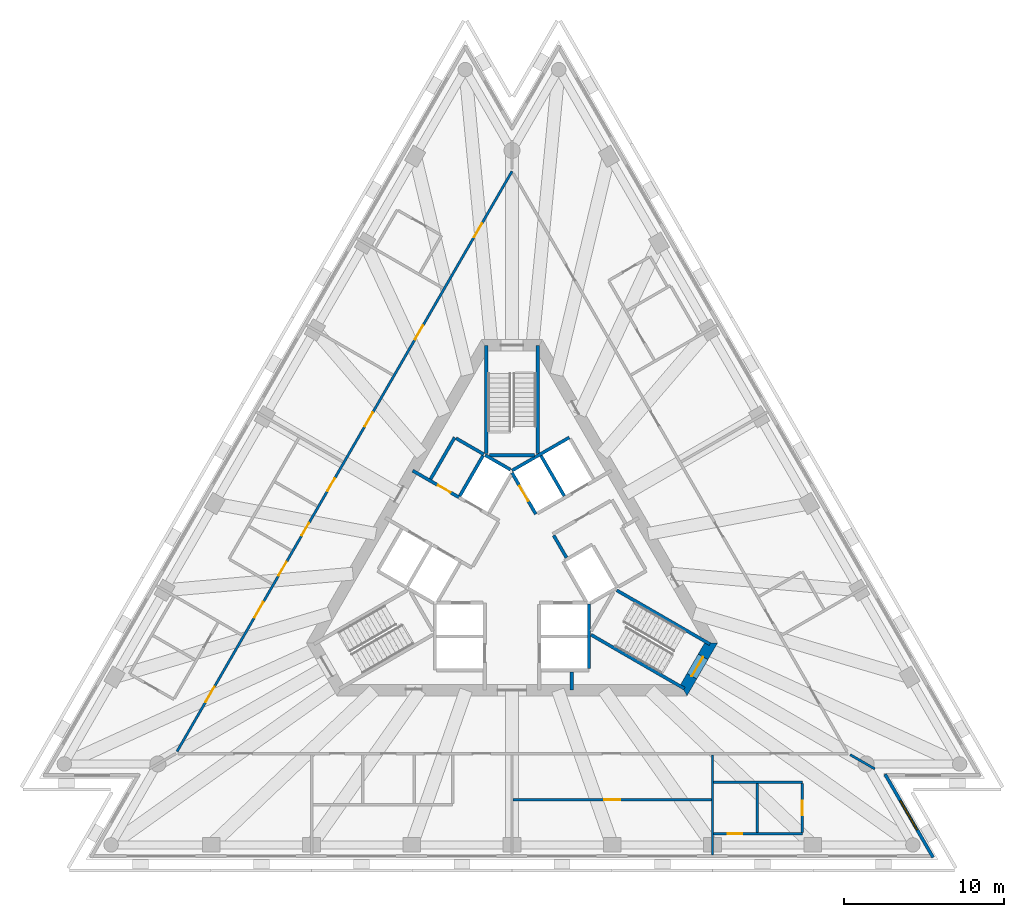
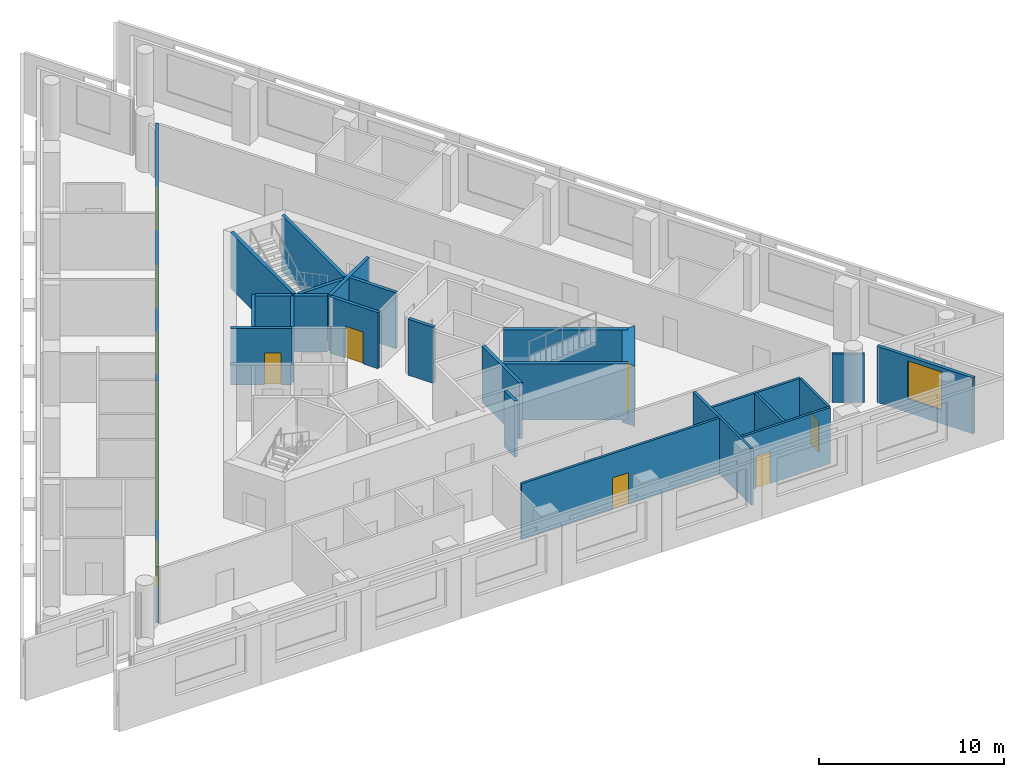
# One storey, part 5 of 10: 26 walls, 14 doors, 1 window, 15 openings.
"""IFC4 building model written with IfcOpenShell, lengths in metres."""

from ifc_helpers import new_model, si_unit, direction, frame, frame_2d, origin, place, context, subcontext, project, spatial, polyline, rectangle, outline, extrude, material, layer, layer_set, layer_usage, type_object, element, fill, save


model = new_model("IFC4")

# Units and contexts
model_context = context("Model", 3, precision=1e-05, world=origin(), true_north=direction((0.0, 1.0)))
body_context = subcontext(model_context, "Body", "Model", "MODEL_VIEW")
ifc_project = project(units=[si_unit("LENGTHUNIT", "METRE"), si_unit("AREAUNIT", "SQUARE_METRE"), si_unit("VOLUMEUNIT", "CUBIC_METRE"), si_unit("PLANEANGLEUNIT", "RADIAN"), si_unit("MASSUNIT", "GRAM", prefix="KILO")], contexts=[model_context])

# Site, building, storey
site_placement = place(None, origin())
site = spatial("IfcSite", under=ifc_project, at=site_placement, CompositionType="ELEMENT")
building_placement = place(site_placement, origin())
building = spatial("IfcBuilding", under=site, at=building_placement, Name="Triada Interchange Tower", CompositionType="ELEMENT")
storey_placement = place(building_placement, frame((0.0, 0.0, 199.300048828125)))
storey = spatial("IfcBuildingStorey", under=building, at=storey_placement, Name="L46", CompositionType="ELEMENT", Elevation=199.300048828125)

# Wall
ifc_material_1 = material(Name="Concrete C30/37", Category="concrete")
ifc_layer_1 = layer(ifc_material_1, 0.199951171875)
ifc_layer_set_1 = layer_set([ifc_layer_1], Name="CORE WALL 200 EI 120")
wall_type_1 = type_object("IfcWallType", Name="CORE WALL 200 EI 120", PredefinedType="SOLIDWALL", material=ifc_layer_set_1)
wall_1_placement = place(storey_placement, frame((-0.001953125, 5.541015625, 0.0), z_axis=(0.0, 0.0, 1.0), x_axis=(0.86600155993, 0.500041296494, 0.0)))
element("IfcWall", 1, at=wall_1_placement, inside=storey, type_object=wall_type_1, Name="Wall L44 54", PredefinedType="SOLIDWALL", context=body_context, shape_type="SweptSolid", body=[
    extrude(rectangle(XDim=4.131591796875, YDim=0.199951171875, at=frame_2d((2.06591796875, 0.0))), origin(), (0.0, 0.0, 1.0), 3.699951171875),
])

# Wall, opening, door
wall_2_placement = place(storey_placement, frame((0.0, 5.39990234375, 0.0), z_axis=(0.0, 0.0, 1.0), x_axis=(0.500103862429, -0.865965430478, 0.0)))
wall_2 = element("IfcWall", 2, at=wall_2_placement, inside=storey, type_object=wall_type_1, Name="Wall L44 55", PredefinedType="SOLIDWALL", context=body_context, shape_type="SweptSolid", body=[
    extrude(rectangle(XDim=2.973388671875, YDim=0.199951171875, at=frame_2d((1.48681640625, 0.0))), origin(), (0.0, 0.0, 1.0), 3.699951171875),
])
opening_1_placement = place(wall_2_placement, frame((0.93701171875, 0.0, 0.0)))
opening_1 = element("IfcOpeningElement", 3, at=opening_1_placement, cuts=wall_2, Name="Opening LD-HR5", PredefinedType="OPENING", context=body_context, shape_type="SweptSolid", body=[
    extrude(rectangle(XDim=1.10009765625, YDim=2.10009765625, at=frame_2d((0.550048828125, 1.050048828125))), frame((0.0, 0.10986328125, 0.0), z_axis=(0.0, -1.0, 0.0), x_axis=(1.0, 0.0, 0.0)), (0.0, 0.0, 1.0), 0.219970703125),
])
ifc_material_2 = material(Name="Steel S235 door leaf", Category="steel")
door_type_1 = type_object("IfcDoorType", Name="LIFT LANDING DOOR 1100 EI 120", OperationType="SLIDING_TO_LEFT", PredefinedType="DOOR", material=ifc_material_2)
door_1_placement = place(opening_1_placement, origin())
door_1 = element("IfcDoor", 4, at=door_1_placement, inside=storey, type_object=door_type_1, Name="HR5 landing door L46", OperationType="SLIDING_TO_LEFT", OverallHeight=2.10009765625, OverallWidth=1.10009765625, PredefinedType="DOOR", context=body_context, shape_type="SweptSolid", body=[
    extrude(rectangle(XDim=1.10009765625, YDim=2.10009765625, at=frame_2d((0.550048828125, 1.050048828125))), frame((0.0, 0.02490234375, 0.0), z_axis=(0.0, -1.0, 0.0), x_axis=(1.0, 0.0, 0.0)), (0.0, 0.0, 1.0), 0.050048828125),
])
fill(opening_1, door_1)

# Walls
wall_3_placement = place(storey_placement, frame((4.800048828125, -6.800048828125, 0.0), z_axis=(0.0, 0.0, 1.0), x_axis=(0.0, 1.0, 0.0)))
element("IfcWall", 5, at=wall_3_placement, inside=storey, type_object=wall_type_1, Name="Wall L44 59", PredefinedType="SOLIDWALL", context=body_context, shape_type="SweptSolid", body=[
    extrude(rectangle(XDim=4.029052734375, YDim=0.199951171875, at=frame_2d((2.0146484375, 0.0))), origin(), (0.0, 0.0, 1.0), 3.699951171875),
])
wall_4_placement = place(storey_placement, frame((1.806884765625, 6.469970703125, 0.0), z_axis=(0.0, 0.0, 1.0), x_axis=(0.50012328804, -0.865954211699, 0.0)))
element("IfcWall", 6, at=wall_4_placement, inside=storey, type_object=wall_type_1, Name="Wall L44 63", PredefinedType="SOLIDWALL", context=body_context, shape_type="SweptSolid", body=[
    extrude(rectangle(XDim=2.899658203125, YDim=0.199951171875, at=frame_2d((1.44970703125, 0.0))), origin(), (0.0, 0.0, 1.0), 3.699951171875),
])
wall_5_placement = place(storey_placement, frame((2.597900390625, 1.5, 0.0), z_axis=(0.0, 0.0, 1.0), x_axis=(0.499929347863, -0.866066190972, 0.0)))
element("IfcWall", 7, at=wall_5_placement, inside=storey, type_object=wall_type_1, Name="Wall L44 68", PredefinedType="SOLIDWALL", context=body_context, shape_type="SweptSolid", body=[
    extrude(rectangle(XDim=1.600341796875, YDim=0.199951171875, at=frame_2d((0.80029296875, 0.0))), origin(), (0.0, 0.0, 1.0), 3.699951171875),
])

# Wall, opening, door
ifc_layer_2 = layer(ifc_material_1, 0.199951171875)
ifc_layer_set_2 = layer_set([ifc_layer_2], Name="CORE WALL 200 EI 180")
wall_type_2 = type_object("IfcWallType", Name="CORE WALL 200 EI 180", PredefinedType="SOLIDWALL", material=ifc_layer_set_2)
wall_6_placement = place(storey_placement, frame((-6.19091796875, 5.537109375, 0.0), z_axis=(0.0, 0.0, 1.0), x_axis=(0.866052607023, -0.499952879648, 0.0)))
wall_6 = element("IfcWall", 8, at=wall_6_placement, inside=storey, type_object=wall_type_2, Name="Wall L44 71", PredefinedType="SOLIDWALL", context=body_context, shape_type="SweptSolid", body=[
    extrude(rectangle(XDim=3.332275390625, YDim=0.199951171875, at=frame_2d((1.666015625, 0.0))), origin(), (0.0, 0.0, 1.0), 3.699951171875),
])
opening_2_placement = place(wall_6_placement, frame((1.830078125, 0.0, 0.0)))
opening_2 = element("IfcOpeningElement", 9, at=opening_2_placement, cuts=wall_6, Name="Opening D44-10", PredefinedType="OPENING", context=body_context, shape_type="SweptSolid", body=[
    extrude(rectangle(XDim=0.89990234375, YDim=2.10009765625, at=frame_2d((0.449951171875, 1.050048828125))), frame((0.0, 0.10986328125, 0.0), z_axis=(0.0, -1.0, 0.0), x_axis=(1.0, 0.0, 0.0)), (0.0, 0.0, 1.0), 0.219970703125),
])
door_type_2 = type_object("IfcDoorType", Name="SERVICE DOOR 900 EI2 90-C5S200", OperationType="NOTDEFINED", PredefinedType="DOOR", material=ifc_material_2)
door_2_placement = place(opening_2_placement, origin())
door_2 = element("IfcDoor", 10, at=door_2_placement, inside=storey, type_object=door_type_2, Name="Door D44-10 L46", OperationType="SINGLE_SWING_LEFT", OverallHeight=2.10009765625, OverallWidth=0.89990234375, PredefinedType="DOOR", context=body_context, shape_type="SweptSolid", body=[
    extrude(rectangle(XDim=0.89990234375, YDim=2.10009765625, at=frame_2d((0.449951171875, 1.050048828125))), frame((0.0, 0.02490234375, 0.0), z_axis=(0.0, -1.0, 0.0), x_axis=(1.0, 0.0, 0.0)), (0.0, 0.0, 1.0), 0.050048828125),
])
fill(opening_2, door_2)

# Walls
wall_7_placement = place(storey_placement, frame((-5.075927734375, 5.009033203125, 0.0), z_axis=(0.0, 0.0, 1.0), x_axis=(0.50002537861, 0.866010750942, 0.0)))
element("IfcWall", 11, at=wall_7_placement, inside=storey, type_object=wall_type_2, Name="Wall L44 73", PredefinedType="SOLIDWALL", context=body_context, shape_type="SweptSolid", body=[
    extrude(rectangle(XDim=2.999755859375, YDim=0.199951171875, at=frame_2d((1.5, 0.0))), origin(), (0.0, 0.0, 1.0), 3.699951171875),
])
wall_8_placement = place(storey_placement, frame((-3.489013671875, 7.556884765625, 0.0), z_axis=(0.0, 0.0, 1.0), x_axis=(0.866010750942, -0.50002537861, 0.0)))
element("IfcWall", 12, at=wall_8_placement, inside=storey, type_object=wall_type_2, Name="Wall L44 74", PredefinedType="SOLIDWALL", context=body_context, shape_type="SweptSolid", body=[
    extrude(rectangle(XDim=2.0, YDim=0.199951171875, at=frame_2d((1.0, 0.0))), origin(), (0.0, 0.0, 1.0), 3.699951171875),
])
wall_9_placement = place(storey_placement, frame((-3.257080078125, 3.958984375, 0.0), z_axis=(0.0, 0.0, 1.0), x_axis=(0.50012328804, 0.865954211699, 0.0)))
element("IfcWall", 13, at=wall_9_placement, inside=storey, type_object=wall_type_2, Name="Shaft wall FF2 L44 81", PredefinedType="SOLIDWALL", context=body_context, shape_type="SweptSolid", body=[
    extrude(rectangle(XDim=2.899658203125, YDim=0.199951171875, at=frame_2d((1.44970703125, 0.0))), origin(), (0.0, 0.0, 1.0), 3.699951171875),
])
wall_10_placement = place(storey_placement, frame((-1.669921875, 6.507080078125, 0.0), z_axis=(0.0, 0.0, 1.0), x_axis=(0.865941441609, -0.500145398563, 0.0)))
element("IfcWall", 14, at=wall_10_placement, inside=storey, type_object=wall_type_2, Name="Shaft wall FF2 L44 82", PredefinedType="SOLIDWALL", context=body_context, shape_type="SweptSolid", body=[
    extrude(rectangle(XDim=1.8154296875, YDim=0.199951171875, at=frame_2d((0.90771484375, 0.0))), origin(), (0.0, 0.0, 1.0), 3.699951171875),
])
ifc_layer_3 = layer(ifc_material_1, 0.199951171875)
ifc_layer_set_3 = layer_set([ifc_layer_3], Name="CORE WALL 200 EI 90")
wall_type_3 = type_object("IfcWallType", Name="CORE WALL 200 EI 90", PredefinedType="SOLIDWALL", material=ifc_layer_set_3)
wall_11_placement = place(storey_placement, frame((3.72412109375, -8.1298828125, 0.0), z_axis=(0.0, 0.0, 1.0), x_axis=(0.0, 1.0, 0.0)))
element("IfcWall", 15, at=wall_11_placement, inside=storey, type_object=wall_type_3, Name="Wall L44 84", PredefinedType="SOLIDWALL", context=body_context, shape_type="SweptSolid", body=[
    extrude(rectangle(XDim=1.1298828125, YDim=0.199951171875, at=frame_2d((0.56494140625, 0.0))), origin(), (0.0, 0.0, 1.0), 3.699951171875),
])
ifc_layer_4 = layer(ifc_material_1, 0.199951171875)
ifc_layer_set_4 = layer_set([ifc_layer_4], Name="CORE WALL 200 REI 240")
wall_type_4 = type_object("IfcWallType", Name="CORE WALL 200 REI 240", PredefinedType="SOLIDWALL", material=ifc_layer_set_4)
wall_12_placement = place(storey_placement, frame((1.60009765625, 6.614990234375, 0.0), z_axis=(0.0, 0.0, 1.0), x_axis=(0.0, 1.0, 0.0)))
element("IfcWall", 16, at=wall_12_placement, inside=storey, type_object=wall_type_4, Name="Wall L44 91", PredefinedType="SOLIDWALL", context=body_context, shape_type="SweptSolid", body=[
    extrude(rectangle(XDim=6.715087890625, YDim=0.199951171875, at=frame_2d((3.357421875, 0.0))), origin(), (0.0, 0.0, 1.0), 3.699951171875),
])
wall_13_placement = place(storey_placement, frame((-1.39990234375, 6.5, 0.0), z_axis=(0.0, 0.0, 1.0), x_axis=(1.0, 0.0, 0.0)))
element("IfcWall", 17, at=wall_13_placement, inside=storey, type_object=wall_type_4, Name="Wall L44 92", PredefinedType="SOLIDWALL", context=body_context, shape_type="SweptSolid", body=[
    extrude(rectangle(XDim=2.7998046875, YDim=0.199951171875, at=frame_2d((1.39990234375, 0.0))), origin(), (0.0, 0.0, 1.0), 3.699951171875),
])
wall_14_placement = place(storey_placement, frame((-1.60009765625, 6.614990234375, 0.0), z_axis=(0.0, 0.0, 1.0), x_axis=(0.0, 1.0, 0.0)))
element("IfcWall", 18, at=wall_14_placement, inside=storey, type_object=wall_type_4, Name="Wall L44 93", PredefinedType="SOLIDWALL", context=body_context, shape_type="SweptSolid", body=[
    extrude(rectangle(XDim=6.715087890625, YDim=0.199951171875, at=frame_2d((3.357421875, 0.0))), origin(), (0.0, 0.0, 1.0), 3.699951171875),
])
wall_15_placement = place(storey_placement, frame((4.928955078125, -4.693115234375, 0.0), z_axis=(0.0, 0.0, 1.0), x_axis=(0.865983344943, -0.500072840975, 0.0)))
element("IfcWall", 19, at=wall_15_placement, inside=storey, type_object=wall_type_4, Name="Wall L44 94", PredefinedType="SOLIDWALL", context=body_context, shape_type="SweptSolid", body=[
    extrude(rectangle(XDim=6.71484375, YDim=0.199951171875, at=frame_2d((3.357421875, 0.0))), origin(), (0.0, 0.0, 1.0), 3.699951171875),
])
wall_16_placement = place(storey_placement, frame((6.529052734375, -1.922119140625, 0.0), z_axis=(0.0, 0.0, 1.0), x_axis=(0.866046323291, -0.499963764601, 0.0)))
element("IfcWall", 20, at=wall_16_placement, inside=storey, type_object=wall_type_4, Name="Wall L44 96", PredefinedType="SOLIDWALL", context=body_context, shape_type="SweptSolid", body=[
    extrude(rectangle(XDim=6.71435546875, YDim=0.199951171875, at=frame_2d((3.357177734375, 0.0))), origin(), (0.0, 0.0, 1.0), 3.699951171875),
])

# Wall, opening, door
ifc_material_3 = material(Name="Concrete C50/60", Category="concrete")
ifc_layer_5 = layer(ifc_material_3, 0.699951171875)
ifc_layer_set_5 = layer_set([ifc_layer_5], Name="Core wall C 700")
wall_type_5 = type_object("IfcWallType", Name="Core wall C 700", PredefinedType="SHEAR", material=ifc_layer_set_5)
wall_17_placement = place(storey_placement, frame((10.7099609375, -8.14990234375, -0.300048828125), z_axis=(0.0, 0.0, 1.0), x_axis=(0.49999337185, 0.866029230515, 0.0)))
wall_17 = element("IfcWall", 21, at=wall_17_placement, inside=storey, type_object=wall_type_5, Name="Core wall WC05 L46", PredefinedType="SHEAR", context=body_context, shape_type="SweptSolid", body=[
    extrude(outline(polyline([(-0.201904296875, -0.35009765625), (1.703125, -0.35009765625), (3.60791015625, -0.35009765625), (3.2041015625, 0.35009765625), (1.703125, 0.35009765625), (0.201904296875, 0.35009765625), (-0.201904296875, -0.35009765625)])), origin(), (0.0, 0.0, 1.0), 4.0),
])
opening_3_placement = place(wall_17_placement, frame((1.0029296875, 0.0, 0.300048828125)))
opening_3 = element("IfcOpeningElement", 22, at=opening_3_placement, cuts=wall_17, Name="Opening D44-42", PredefinedType="OPENING", context=body_context, shape_type="SweptSolid", body=[
    extrude(rectangle(XDim=1.39990234375, YDim=2.10009765625, at=frame_2d((0.699951171875, 1.050048828125))), frame((0.0, 0.360107421875, 0.0), z_axis=(0.0, -1.0, 0.0), x_axis=(1.0, 0.0, 0.0)), (0.0, 0.0, 1.0), 0.72021484375),
])
door_type_3 = type_object("IfcDoorType", Name="STAIR DOOR 1400 EI2 90-C5S200", OperationType="DOUBLE_DOOR_SINGLE_SWING", PredefinedType="DOOR", material=ifc_material_2)
door_3_placement = place(opening_3_placement, origin())
door_3 = element("IfcDoor", 23, at=door_3_placement, inside=storey, type_object=door_type_3, Name="Door D44-42 L46", OperationType="DOUBLE_DOOR_SINGLE_SWING", OverallHeight=2.10009765625, OverallWidth=1.39990234375, PredefinedType="DOOR", context=body_context, shape_type="SweptSolid", body=[
    extrude(rectangle(XDim=1.39990234375, YDim=2.10009765625, at=frame_2d((0.699951171875, 1.050048828125))), frame((0.0, 0.02490234375, 0.0), z_axis=(0.0, -1.0, 0.0), x_axis=(1.0, 0.0, 0.0)), (0.0, 0.0, 1.0), 0.050048828125),
])
fill(opening_3, door_3)

# Wall, opening, window
ifc_material_4 = material(Name="Cement board")
ifc_layer_6 = layer(ifc_material_4, 0.02001953125, Name="Cement board cladding")
ifc_material_5 = material(Name="Sheathing board")
ifc_layer_7 = layer(ifc_material_5, 0.014892578125, Name="Sheathing board")
ifc_material_6 = material(Name="Mineral wool")
ifc_layer_8 = layer(ifc_material_6, 0.14990234375, Name="Mineral wool between steel studs")
ifc_material_7 = material(Name="Gypsum board")
ifc_layer_9 = layer(ifc_material_7, 0.014892578125, Name="Plasterboard lining")
ifc_layer_set_6 = layer_set([ifc_layer_6, ifc_layer_7, ifc_layer_8, ifc_layer_9], Name="External wall 200")
ifc_layer_usage = layer_usage(ifc_layer_set_6, "AXIS2", "POSITIVE", -0.10009765625)
wall_type_6 = type_object("IfcWallType", Name="External wall 200", PredefinedType="ELEMENTEDWALL", material=ifc_layer_set_6)
wall_18_placement = place(storey_placement, frame((26.2509765625, -18.572998046875, 0.0), z_axis=(0.0, 0.0, 1.0), x_axis=(-0.499896541353, 0.866085127423, 0.0)))
wall_18 = element("IfcWall", 24, at=wall_18_placement, inside=storey, type_object=wall_type_6, material=ifc_layer_usage, Name="External wall L46 SE-1", PredefinedType="ELEMENTEDWALL", context=body_context, shape_type="SweptSolid", body=[
    extrude(rectangle(XDim=5.989013671875, YDim=0.199951171875, at=frame_2d((2.99462890625, 0.0))), origin(), (0.0, 0.0, 1.0), 3.699951171875),
])
opening_4_placement = place(wall_18_placement, frame((1.989990234375, 0.0, 0.89990234375)))
opening_4 = element("IfcOpeningElement", 25, at=opening_4_placement, cuts=wall_18, Name="Opening WC19", PredefinedType="OPENING", context=body_context, shape_type="SweptSolid", body=[
    extrude(rectangle(XDim=2.10009765625, YDim=2.5, at=frame_2d((1.050048828125, 1.25))), frame((0.0, 0.10986328125, 0.0), z_axis=(0.0, -1.0, 0.0), x_axis=(1.0, 0.0, 0.0)), (0.0, 0.0, 1.0), 0.219970703125),
])
ifc_material_8 = material(Name="Double glazed aluminium window", Category="aluminium")
window_type = type_object("IfcWindowType", Name="Ribbon window C pocket", PartitioningType="SINGLE_PANEL", PredefinedType="WINDOW", material=ifc_material_8)
window_placement = place(opening_4_placement, origin())
window = element("IfcWindow", 26, at=window_placement, inside=storey, type_object=window_type, Name="Window L46 SE-1 1", OverallHeight=2.5, OverallWidth=2.10009765625, PartitioningType="SINGLE_PANEL", PredefinedType="WINDOW", context=body_context, shape_type="SweptSolid", body=[
    extrude(rectangle(XDim=2.10009765625, YDim=2.5, at=frame_2d((1.050048828125, 1.25))), frame((0.0, 0.030029296875, 0.0), z_axis=(0.0, -1.0, 0.0), x_axis=(1.0, 0.0, 0.0)), (0.0, 0.0, 1.0), 0.06005859375),
])
fill(opening_4, window)

# Wall, openings, doors
ifc_material_9 = material(Name="Gypsum board partition")
ifc_layer_10 = layer(ifc_material_9, 0.14990234375)
ifc_layer_set_7 = layer_set([ifc_layer_10], Name="PARTITION 150 EI 180")
wall_type_7 = type_object("IfcWallType", Name="PARTITION 150 EI 180", PredefinedType="PARTITIONING", material=ifc_layer_set_7)
wall_19_placement = place(storey_placement, frame((-20.882080078125, -11.968994140625, 0.0), z_axis=(0.0, 0.0, 1.0), x_axis=(0.499998738735, 0.866026131975, 0.0)))
wall_19 = element("IfcWall", 27, at=wall_19_placement, inside=storey, type_object=wall_type_7, Name="Wall L44 4", PredefinedType="PARTITIONING", context=body_context, shape_type="SweptSolid", body=[
    extrude(rectangle(XDim=41.76416015625, YDim=0.14990234375, at=frame_2d((20.882080078125, 0.0))), origin(), (0.0, 0.0, 1.0), 3.699951171875),
])
opening_5_placement = place(wall_19_placement, frame((37.013916015625, 0.0, 0.0)))
opening_5 = element("IfcOpeningElement", 28, at=opening_5_placement, cuts=wall_19, Name="Opening D44-28", PredefinedType="OPENING", context=body_context, shape_type="SweptSolid", body=[
    extrude(rectangle(XDim=1.0, YDim=2.10009765625, at=frame_2d((0.5, 1.050048828125))), frame((0.0, 0.0849609375, 0.0), z_axis=(0.0, -1.0, 0.0), x_axis=(1.0, 0.0, 0.0)), (0.0, 0.0, 1.0), 0.169921875),
])
opening_6_placement = place(wall_19_placement, frame((29.653076171875, 0.0, 0.0)))
opening_6 = element("IfcOpeningElement", 29, at=opening_6_placement, cuts=wall_19, Name="Opening D44-30", PredefinedType="OPENING", context=body_context, shape_type="SweptSolid", body=[
    extrude(rectangle(XDim=1.0, YDim=2.10009765625, at=frame_2d((0.5, 1.050048828125))), frame((0.0, 0.0849609375, 0.0), z_axis=(0.0, -1.0, 0.0), x_axis=(1.0, 0.0, 0.0)), (0.0, 0.0, 1.0), 0.169921875),
])
opening_7_placement = place(wall_19_placement, frame((23.405029296875, 0.0, 0.0)))
opening_7 = element("IfcOpeningElement", 30, at=opening_7_placement, cuts=wall_19, Name="Opening D44-31", PredefinedType="OPENING", context=body_context, shape_type="SweptSolid", body=[
    extrude(rectangle(XDim=1.0, YDim=2.10009765625, at=frame_2d((0.5, 1.050048828125))), frame((0.0, 0.0849609375, 0.0), z_axis=(0.0, -1.0, 0.0), x_axis=(1.0, 0.0, 0.0)), (0.0, 0.0, 1.0), 0.169921875),
])
opening_8_placement = place(wall_19_placement, frame((9.656982421875, 0.0, 0.0)))
opening_8 = element("IfcOpeningElement", 31, at=opening_8_placement, cuts=wall_19, Name="Opening D44-32", PredefinedType="OPENING", context=body_context, shape_type="SweptSolid", body=[
    extrude(rectangle(XDim=1.10009765625, YDim=2.10009765625, at=frame_2d((0.550048828125, 1.050048828125))), frame((0.0, 0.0849609375, 0.0), z_axis=(0.0, -1.0, 0.0), x_axis=(1.0, 0.0, 0.0)), (0.0, 0.0, 1.0), 0.169921875),
])
opening_9_placement = place(wall_19_placement, frame((18.757080078125, 0.0, 0.0)))
opening_9 = element("IfcOpeningElement", 32, at=opening_9_placement, cuts=wall_19, Name="Opening D44-33", PredefinedType="OPENING", context=body_context, shape_type="SweptSolid", body=[
    extrude(rectangle(XDim=0.89990234375, YDim=2.10009765625, at=frame_2d((0.449951171875, 1.050048828125))), frame((0.0, 0.0849609375, 0.0), z_axis=(0.0, -1.0, 0.0), x_axis=(1.0, 0.0, 0.0)), (0.0, 0.0, 1.0), 0.169921875),
])
opening_10_placement = place(wall_19_placement, frame((15.556884765625, 0.0, 0.0)))
opening_10 = element("IfcOpeningElement", 33, at=opening_10_placement, cuts=wall_19, Name="Opening D44-34", PredefinedType="OPENING", context=body_context, shape_type="SweptSolid", body=[
    extrude(rectangle(XDim=0.89990234375, YDim=2.10009765625, at=frame_2d((0.449951171875, 1.050048828125))), frame((0.0, 0.0849609375, 0.0), z_axis=(0.0, -1.0, 0.0), x_axis=(1.0, 0.0, 0.0)), (0.0, 0.0, 1.0), 0.169921875),
])
opening_11_placement = place(wall_19_placement, frame((12.656982421875, 0.0, 0.0)))
opening_11 = element("IfcOpeningElement", 34, at=opening_11_placement, cuts=wall_19, Name="Opening D44-35", PredefinedType="OPENING", context=body_context, shape_type="SweptSolid", body=[
    extrude(rectangle(XDim=1.0, YDim=2.10009765625, at=frame_2d((0.5, 1.050048828125))), frame((0.0, 0.0849609375, 0.0), z_axis=(0.0, -1.0, 0.0), x_axis=(1.0, 0.0, 0.0)), (0.0, 0.0, 1.0), 0.169921875),
])
opening_12_placement = place(wall_19_placement, frame((3.56005859375, 0.0, 0.0)))
opening_12 = element("IfcOpeningElement", 35, at=opening_12_placement, cuts=wall_19, Name="Opening D44-36", PredefinedType="OPENING", context=body_context, shape_type="SweptSolid", body=[
    extrude(rectangle(XDim=1.10009765625, YDim=2.10009765625, at=frame_2d((0.550048828125, 1.050048828125))), frame((0.0, 0.0849609375, 0.0), z_axis=(0.0, -1.0, 0.0), x_axis=(1.0, 0.0, 0.0)), (0.0, 0.0, 1.0), 0.169921875),
])
door_type_4 = type_object("IfcDoorType", Name="ROOM DOOR 1000 EI2 90-C5S200", OperationType="NOTDEFINED", PredefinedType="DOOR", material=ifc_material_2)
door_4_placement = place(opening_5_placement, origin())
door_4 = element("IfcDoor", 36, at=door_4_placement, inside=storey, type_object=door_type_4, Name="Door D44-28 L46", OperationType="SINGLE_SWING_RIGHT", OverallHeight=2.10009765625, OverallWidth=1.0, PredefinedType="DOOR", context=body_context, shape_type="SweptSolid", body=[
    extrude(rectangle(XDim=1.0, YDim=2.10009765625, at=frame_2d((0.5, 1.050048828125))), frame((0.0, 0.02490234375, 0.0), z_axis=(0.0, -1.0, 0.0), x_axis=(1.0, 0.0, 0.0)), (0.0, 0.0, 1.0), 0.050048828125),
])
fill(opening_5, door_4)
door_5_placement = place(opening_6_placement, origin())
door_5 = element("IfcDoor", 37, at=door_5_placement, inside=storey, type_object=door_type_4, Name="Door D44-30 L46", OperationType="SINGLE_SWING_RIGHT", OverallHeight=2.10009765625, OverallWidth=1.0, PredefinedType="DOOR", context=body_context, shape_type="SweptSolid", body=[
    extrude(rectangle(XDim=1.0, YDim=2.10009765625, at=frame_2d((0.5, 1.050048828125))), frame((0.0, 0.02490234375, 0.0), z_axis=(0.0, -1.0, 0.0), x_axis=(1.0, 0.0, 0.0)), (0.0, 0.0, 1.0), 0.050048828125),
])
fill(opening_6, door_5)
door_6_placement = place(opening_7_placement, origin())
door_6 = element("IfcDoor", 38, at=door_6_placement, inside=storey, type_object=door_type_4, Name="Door D44-31 L46", OperationType="SINGLE_SWING_RIGHT", OverallHeight=2.10009765625, OverallWidth=1.0, PredefinedType="DOOR", context=body_context, shape_type="SweptSolid", body=[
    extrude(rectangle(XDim=1.0, YDim=2.10009765625, at=frame_2d((0.5, 1.050048828125))), frame((0.0, 0.02490234375, 0.0), z_axis=(0.0, -1.0, 0.0), x_axis=(1.0, 0.0, 0.0)), (0.0, 0.0, 1.0), 0.050048828125),
])
fill(opening_7, door_6)
door_7_placement = place(opening_11_placement, origin())
door_7 = element("IfcDoor", 39, at=door_7_placement, inside=storey, type_object=door_type_4, Name="Door D44-35 L46", OperationType="SINGLE_SWING_RIGHT", OverallHeight=2.10009765625, OverallWidth=1.0, PredefinedType="DOOR", context=body_context, shape_type="SweptSolid", body=[
    extrude(rectangle(XDim=1.0, YDim=2.10009765625, at=frame_2d((0.5, 1.050048828125))), frame((0.0, 0.02490234375, 0.0), z_axis=(0.0, -1.0, 0.0), x_axis=(1.0, 0.0, 0.0)), (0.0, 0.0, 1.0), 0.050048828125),
])
fill(opening_11, door_7)
door_type_5 = type_object("IfcDoorType", Name="ROOM DOOR 900 EI2 90-C5S200", OperationType="NOTDEFINED", PredefinedType="DOOR", material=ifc_material_2)
door_8_placement = place(opening_9_placement, origin())
door_8 = element("IfcDoor", 40, at=door_8_placement, inside=storey, type_object=door_type_5, Name="Door D44-33 L46", OperationType="SINGLE_SWING_LEFT", OverallHeight=2.10009765625, OverallWidth=0.89990234375, PredefinedType="DOOR", context=body_context, shape_type="SweptSolid", body=[
    extrude(rectangle(XDim=0.89990234375, YDim=2.10009765625, at=frame_2d((0.449951171875, 1.050048828125))), frame((0.0, 0.02490234375, 0.0), z_axis=(0.0, -1.0, 0.0), x_axis=(1.0, 0.0, 0.0)), (0.0, 0.0, 1.0), 0.050048828125),
])
fill(opening_9, door_8)
door_9_placement = place(opening_10_placement, origin())
door_9 = element("IfcDoor", 41, at=door_9_placement, inside=storey, type_object=door_type_5, Name="Door D44-34 L46", OperationType="SINGLE_SWING_RIGHT", OverallHeight=2.10009765625, OverallWidth=0.89990234375, PredefinedType="DOOR", context=body_context, shape_type="SweptSolid", body=[
    extrude(rectangle(XDim=0.89990234375, YDim=2.10009765625, at=frame_2d((0.449951171875, 1.050048828125))), frame((0.0, 0.02490234375, 0.0), z_axis=(0.0, -1.0, 0.0), x_axis=(1.0, 0.0, 0.0)), (0.0, 0.0, 1.0), 0.050048828125),
])
fill(opening_10, door_9)
door_type_6 = type_object("IfcDoorType", Name="TENANCY ENTRANCE DOOR 1100 EI2 90-C5S200", OperationType="NOTDEFINED", PredefinedType="DOOR", material=ifc_material_2)
door_10_placement = place(opening_8_placement, origin())
door_10 = element("IfcDoor", 42, at=door_10_placement, inside=storey, type_object=door_type_6, Name="Door D44-32 L46", OperationType="SINGLE_SWING_LEFT", OverallHeight=2.10009765625, OverallWidth=1.10009765625, PredefinedType="DOOR", context=body_context, shape_type="SweptSolid", body=[
    extrude(rectangle(XDim=1.10009765625, YDim=2.10009765625, at=frame_2d((0.550048828125, 1.050048828125))), frame((0.0, 0.02490234375, 0.0), z_axis=(0.0, -1.0, 0.0), x_axis=(1.0, 0.0, 0.0)), (0.0, 0.0, 1.0), 0.050048828125),
])
fill(opening_8, door_10)
door_11_placement = place(opening_12_placement, origin())
door_11 = element("IfcDoor", 43, at=door_11_placement, inside=storey, type_object=door_type_6, Name="Door D44-36 L46", OperationType="SINGLE_SWING_LEFT", OverallHeight=2.10009765625, OverallWidth=1.10009765625, PredefinedType="DOOR", context=body_context, shape_type="SweptSolid", body=[
    extrude(rectangle(XDim=1.10009765625, YDim=2.10009765625, at=frame_2d((0.550048828125, 1.050048828125))), frame((0.0, 0.02490234375, 0.0), z_axis=(0.0, -1.0, 0.0), x_axis=(1.0, 0.0, 0.0)), (0.0, 0.0, 1.0), 0.050048828125),
])
fill(opening_12, door_11)

# Walls
wall_20_placement = place(storey_placement, frame((21.0869140625, -12.174072265625, 0.0), z_axis=(0.0, 0.0, 1.0), x_axis=(0.866022094817, -0.500005731256, 0.0)))
element("IfcWall", 44, at=wall_20_placement, inside=storey, type_object=wall_type_7, Name="Wall L44 10", PredefinedType="PARTITIONING", context=body_context, shape_type="SweptSolid", body=[
    extrude(rectangle(XDim=1.765625, YDim=0.14990234375, at=frame_2d((0.8828125, 0.0))), origin(), (0.0, 0.0, 1.0), 3.199951171875),
])
wall_21_placement = place(storey_placement, frame((12.4970703125, -18.4150390625, 0.0), z_axis=(0.0, 0.0, 1.0), x_axis=(0.0, 1.0, 0.0)))
element("IfcWall", 45, at=wall_21_placement, inside=storey, type_object=wall_type_7, Name="Wall L44 23", PredefinedType="PARTITIONING", context=body_context, shape_type="SweptSolid", body=[
    extrude(rectangle(XDim=6.239990234375, YDim=0.14990234375, at=frame_2d((3.1201171875, 0.0))), origin(), (0.0, 0.0, 1.0), 3.699951171875),
])

# Wall, opening, door
ifc_layer_11 = layer(ifc_material_9, 0.14990234375)
ifc_layer_set_8 = layer_set([ifc_layer_11], Name="PARTITION 150 EI 90")
wall_type_8 = type_object("IfcWallType", Name="PARTITION 150 EI 90", PredefinedType="PARTITIONING", material=ifc_layer_set_8)
wall_22_placement = place(storey_placement, frame((0.074951171875, -14.97802734375, 0.0), z_axis=(0.0, 0.0, 1.0), x_axis=(1.0, 0.0, 0.0)))
wall_22 = element("IfcWall", 46, at=wall_22_placement, inside=storey, type_object=wall_type_8, Name="Wall L44 34", PredefinedType="PARTITIONING", context=body_context, shape_type="SweptSolid", body=[
    extrude(rectangle(XDim=12.34716796875, YDim=0.14990234375, at=frame_2d((6.173583984375, 0.0))), origin(), (0.0, 0.0, 1.0), 3.699951171875),
])
opening_13_placement = place(wall_22_placement, frame((5.675048828125, 0.0, 0.0)))
opening_13 = element("IfcOpeningElement", 47, at=opening_13_placement, cuts=wall_22, Name="Opening D44-17", PredefinedType="OPENING", context=body_context, shape_type="SweptSolid", body=[
    extrude(rectangle(XDim=1.0, YDim=2.10009765625, at=frame_2d((0.5, 1.050048828125))), frame((0.0, 0.0849609375, 0.0), z_axis=(0.0, -1.0, 0.0), x_axis=(1.0, 0.0, 0.0)), (0.0, 0.0, 1.0), 0.169921875),
])
door_type_7 = type_object("IfcDoorType", Name="ROOM DOOR 1000 EI2 45-C5S200", OperationType="NOTDEFINED", PredefinedType="DOOR", material=ifc_material_2)
door_12_placement = place(opening_13_placement, origin())
door_12 = element("IfcDoor", 48, at=door_12_placement, inside=storey, type_object=door_type_7, Name="Door D44-17 L46", OperationType="SINGLE_SWING_RIGHT", OverallHeight=2.10009765625, OverallWidth=1.0, PredefinedType="DOOR", context=body_context, shape_type="SweptSolid", body=[
    extrude(rectangle(XDim=1.0, YDim=2.10009765625, at=frame_2d((0.5, 1.050048828125))), frame((0.0, 0.02490234375, 0.0), z_axis=(0.0, -1.0, 0.0), x_axis=(1.0, 0.0, 0.0)), (0.0, 0.0, 1.0), 0.050048828125),
])
fill(opening_13, door_12)

wall_23_placement = place(storey_placement, frame((12.572021484375, -17.097900390625, 0.0), z_axis=(0.0, 0.0, 1.0), x_axis=(1.0, 0.0, 0.0)))
wall_23 = element("IfcWall", 49, at=wall_23_placement, inside=storey, type_object=wall_type_8, Name="Wall L44 40", PredefinedType="PARTITIONING", context=body_context, shape_type="SweptSolid", body=[
    extrude(rectangle(XDim=5.52490234375, YDim=0.14990234375, at=frame_2d((2.762451171875, 0.0))), origin(), (0.0, 0.0, 1.0), 3.699951171875),
])
opening_14_placement = place(wall_23_placement, frame((0.875, 0.0, 0.0)))
opening_14 = element("IfcOpeningElement", 50, at=opening_14_placement, cuts=wall_23, Name="Opening D44-19", PredefinedType="OPENING", context=body_context, shape_type="SweptSolid", body=[
    extrude(rectangle(XDim=0.89990234375, YDim=2.10009765625, at=frame_2d((0.449951171875, 1.050048828125))), frame((0.0, 0.0849609375, 0.0), z_axis=(0.0, -1.0, 0.0), x_axis=(1.0, 0.0, 0.0)), (0.0, 0.0, 1.0), 0.169921875),
])
door_type_8 = type_object("IfcDoorType", Name="ROOM DOOR 900 EI2 45-C5S200", OperationType="NOTDEFINED", PredefinedType="DOOR", material=ifc_material_2)
door_13_placement = place(opening_14_placement, origin())
door_13 = element("IfcDoor", 51, at=door_13_placement, inside=storey, type_object=door_type_8, Name="Door D44-19 L46", OperationType="SINGLE_SWING_LEFT", OverallHeight=2.10009765625, OverallWidth=0.89990234375, PredefinedType="DOOR", context=body_context, shape_type="SweptSolid", body=[
    extrude(rectangle(XDim=0.89990234375, YDim=2.10009765625, at=frame_2d((0.449951171875, 1.050048828125))), frame((0.0, 0.02490234375, 0.0), z_axis=(0.0, -1.0, 0.0), x_axis=(1.0, 0.0, 0.0)), (0.0, 0.0, 1.0), 0.050048828125),
])
fill(opening_14, door_13)

# Wall
wall_24_placement = place(storey_placement, frame((12.572021484375, -13.89990234375, 0.0), z_axis=(0.0, 0.0, 1.0), x_axis=(1.0, 0.0, 0.0)))
element("IfcWall", 52, at=wall_24_placement, inside=storey, type_object=wall_type_8, Name="Wall L44 41", PredefinedType="PARTITIONING", context=body_context, shape_type="SweptSolid", body=[
    extrude(rectangle(XDim=5.52490234375, YDim=0.14990234375, at=frame_2d((2.762451171875, 0.0))), origin(), (0.0, 0.0, 1.0), 3.699951171875),
])

# Wall, opening, door
wall_25_placement = place(storey_placement, frame((18.096923828125, -17.02294921875, 0.0), z_axis=(0.0, 0.0, 1.0), x_axis=(0.0, 1.0, 0.0)))
wall_25 = element("IfcWall", 53, at=wall_25_placement, inside=storey, type_object=wall_type_8, Name="Wall L44 42", PredefinedType="PARTITIONING", context=body_context, shape_type="SweptSolid", body=[
    extrude(rectangle(XDim=3.0478515625, YDim=0.14990234375, at=frame_2d((1.52392578125, 0.0))), origin(), (0.0, 0.0, 1.0), 3.699951171875),
])
opening_15_placement = place(wall_25_placement, frame((1.072998046875, 0.0, 0.0)))
opening_15 = element("IfcOpeningElement", 54, at=opening_15_placement, cuts=wall_25, Name="Opening D44-20", PredefinedType="OPENING", context=body_context, shape_type="SweptSolid", body=[
    extrude(rectangle(XDim=0.89990234375, YDim=2.10009765625, at=frame_2d((0.449951171875, 1.050048828125))), frame((0.0, 0.0849609375, 0.0), z_axis=(0.0, -1.0, 0.0), x_axis=(1.0, 0.0, 0.0)), (0.0, 0.0, 1.0), 0.169921875),
])
door_14_placement = place(opening_15_placement, origin())
door_14 = element("IfcDoor", 55, at=door_14_placement, inside=storey, type_object=door_type_8, Name="Door D44-20 L46", OperationType="SINGLE_SWING_LEFT", OverallHeight=2.10009765625, OverallWidth=0.89990234375, PredefinedType="DOOR", context=body_context, shape_type="SweptSolid", body=[
    extrude(rectangle(XDim=0.89990234375, YDim=2.10009765625, at=frame_2d((0.449951171875, 1.050048828125))), frame((0.0, 0.02490234375, 0.0), z_axis=(0.0, -1.0, 0.0), x_axis=(1.0, 0.0, 0.0)), (0.0, 0.0, 1.0), 0.050048828125),
])
fill(opening_15, door_14)

# Wall
wall_26_placement = place(storey_placement, frame((15.297119140625, -17.02294921875, 0.0), z_axis=(0.0, 0.0, 1.0), x_axis=(0.0, 1.0, 0.0)))
element("IfcWall", 56, at=wall_26_placement, inside=storey, type_object=wall_type_8, Name="Wall L44 43", PredefinedType="PARTITIONING", context=body_context, shape_type="SweptSolid", body=[
    extrude(rectangle(XDim=3.0478515625, YDim=0.14990234375, at=frame_2d((1.52392578125, 0.0))), origin(), (0.0, 0.0, 1.0), 3.699951171875),
])

save(model, "model.ifc")
